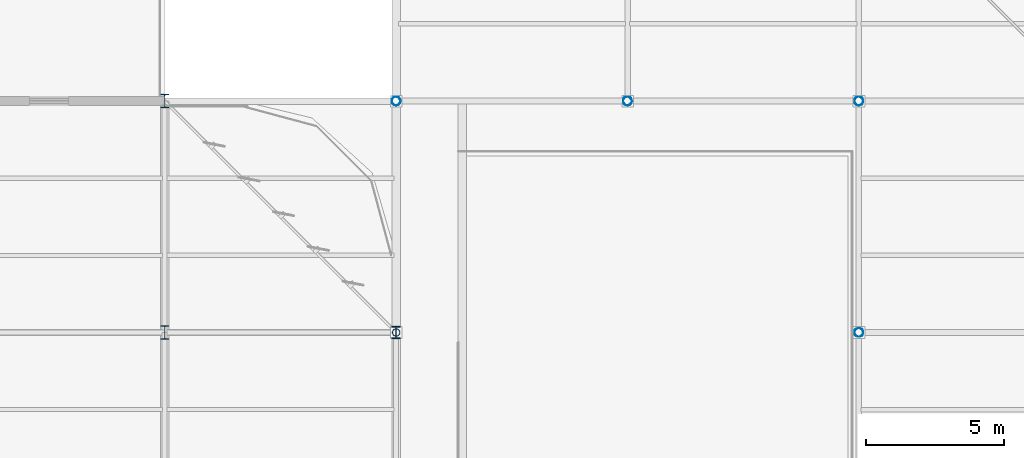
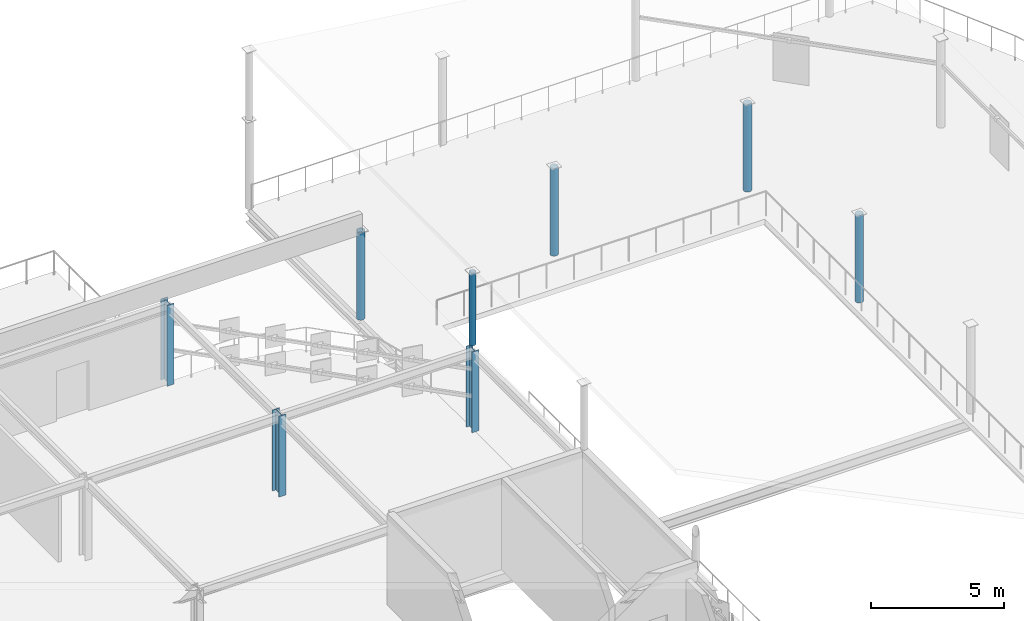
# One storey, part 11 of 65: 8 columns.
"""IFC4 building model written with IfcOpenShell, lengths in metres."""

from ifc_helpers import new_model, si_unit, direction, frame, origin, origin_2d, place, context, subcontext, project, spatial, hollow_circle, i_section, extrude, material, material_profile, profile_set, type_object, element, save


model = new_model("IFC4")

# Units and contexts
model_context = context("Model", 3, precision=1e-05, world=origin(), true_north=direction((0.0, 1.0)))
body_context = subcontext(model_context, "Body", "Model", "MODEL_VIEW")
ifc_project = project(units=[si_unit("LENGTHUNIT", "METRE"), si_unit("AREAUNIT", "SQUARE_METRE"), si_unit("VOLUMEUNIT", "CUBIC_METRE"), si_unit("PLANEANGLEUNIT", "RADIAN"), si_unit("MASSUNIT", "GRAM", prefix="KILO")], contexts=[model_context])

# Site, building, storey
site_placement = place(None, origin())
site = spatial("IfcSite", under=ifc_project, at=site_placement, CompositionType="ELEMENT")
building_placement = place(site_placement, origin())
building = spatial("IfcBuilding", under=site, at=building_placement, Name="Qalvenar Corner Mobility Hub", CompositionType="ELEMENT")
storey_placement = place(building_placement, frame((0.0, 0.0, 17.39990234375)))
storey = spatial("IfcBuildingStorey", under=building, at=storey_placement, Name="L04", CompositionType="ELEMENT", Elevation=17.39990234375)

# Columns
ifc_material = material(Name="Steel S355", Category="steel")
ifc_material_profile_1 = material_profile(ifc_material, hollow_circle(Radius=0.136474609375, WallThickness=0.0087890625, at=origin_2d()), Name="CHS273x8.8")
ifc_profile_set_1 = profile_set([ifc_material_profile_1], Name="Steel S355")
column_type_1 = type_object("IfcColumnType", Name="COL-CHS273", PredefinedType="COLUMN", material=ifc_profile_set_1)
column_1_placement = place(storey_placement, frame((142.800048828125, 100.800048828125, 3.900146484375), z_axis=(0.0, 0.0, 1.0), x_axis=(1.0, 0.0, 0.0)))
element("IfcColumn", 1, at=column_1_placement, inside=storey, type_object=column_type_1, Name="Rotunda Roof Ridge Post V2R-100", PredefinedType="COLUMN", context=body_context, shape_type="SweptSolid", body=[
    extrude(hollow_circle(Radius=0.136474609375, WallThickness=0.0087890625, at=origin_2d()), origin(), (0.0, 0.0, 1.0), 3.329833984375),
])
ifc_material_profile_2 = material_profile(ifc_material, hollow_circle(Radius=0.161865234375, WallThickness=0.010009765625, at=origin_2d()), Name="CHS323.9x10")
ifc_profile_set_2 = profile_set([ifc_material_profile_2], Name="Steel S355")
column_type_2 = type_object("IfcColumnType", Name="COL-CHS323", PredefinedType="COLUMN", material=ifc_profile_set_2)
for number, where, z_axis, x_axis, name in (
    (2, (142.800048828125, 109.199951171875, 0.0), (0.0, 0.0, 1.0), (1.0, 0.0, 0.0), "Steel Column L04-G18-13"),
    (3, (151.199951171875, 109.199951171875, 0.0), (0.0, 0.0, 1.0), (1.0, 0.0, 0.0), "Steel Column L04-G19-13"),
    (4, (159.60009765625, 100.800048828125, 0.0), (0.0, 0.0, 1.0), (1.0, 0.0, 0.0), "Steel Column L04-G20-12"),
    (5, (159.60009765625, 109.199951171875, 0.0), (0.0, 0.0, 1.0), (1.0, 0.0, 0.0), "Steel Column L04-G20-13"),
):
    element("IfcColumn", number, at=place(storey_placement, frame(where, z_axis=z_axis, x_axis=x_axis)), inside=storey, type_object=column_type_2, Name=name, PredefinedType="COLUMN", context=body_context, shape_type="SweptSolid", body=[
        extrude(hollow_circle(Radius=0.161865234375, WallThickness=0.010009765625, at=origin_2d()), origin(), (0.0, 0.0, 1.0), 4.030029296875),
    ])
ifc_material_profile_3 = material_profile(ifc_material, i_section(OverallWidth=0.300048828125, OverallDepth=0.449951171875, WebThickness=0.013916015625, FlangeThickness=0.02587890625, FilletRadius=0.027099609375, at=origin_2d()), Name="HEB450")
ifc_profile_set_3 = profile_set([ifc_material_profile_3], Name="Steel S355")
column_type_3 = type_object("IfcColumnType", Name="COL-HEB450", PredefinedType="COLUMN", material=ifc_profile_set_3)
column_2_placement = place(storey_placement, frame((142.800048828125, 100.800048828125, 0.0), z_axis=(0.0, 0.0, 1.0), x_axis=(1.0, 0.0, 0.0)))
element("IfcColumn", 6, at=column_2_placement, inside=storey, type_object=column_type_3, Name="Steel Column L04-G18-12", PredefinedType="COLUMN", context=body_context, shape_type="SweptSolid", body=[
    extrude(i_section(OverallWidth=0.300048828125, OverallDepth=0.449951171875, WebThickness=0.013916015625, FlangeThickness=0.02587890625, FilletRadius=0.027099609375, at=origin_2d()), origin(), (0.0, 0.0, 1.0), 3.710205078125),
])
ifc_material_profile_4 = material_profile(ifc_material, i_section(OverallWidth=0.300048828125, OverallDepth=0.5, WebThickness=0.014404296875, FlangeThickness=0.028076171875, FilletRadius=0.027099609375, at=origin_2d()), Name="HEB500")
ifc_profile_set_4 = profile_set([ifc_material_profile_4], Name="Steel S355")
column_type_4 = type_object("IfcColumnType", Name="COL-HEB500", PredefinedType="COLUMN", material=ifc_profile_set_4)
for number, where, z_axis, x_axis, name in (
    (7, (134.39990234375, 100.800048828125, 0.0), (0.0, 0.0, 1.0), (1.0, 0.0, 0.0), "Steel Column L04-G17-12"),
    (8, (134.39990234375, 109.199951171875, 0.0), (0.0, 0.0, 1.0), (1.0, 0.0, 0.0), "Steel Column L04-G17-13"),
):
    element("IfcColumn", number, at=place(storey_placement, frame(where, z_axis=z_axis, x_axis=x_axis)), inside=storey, type_object=column_type_4, Name=name, PredefinedType="COLUMN", context=body_context, shape_type="SweptSolid", body=[
        extrude(i_section(OverallWidth=0.300048828125, OverallDepth=0.5, WebThickness=0.014404296875, FlangeThickness=0.028076171875, FilletRadius=0.027099609375, at=origin_2d()), origin(), (0.0, 0.0, 1.0), 3.710205078125),
    ])

save(model, "model.ifc")
